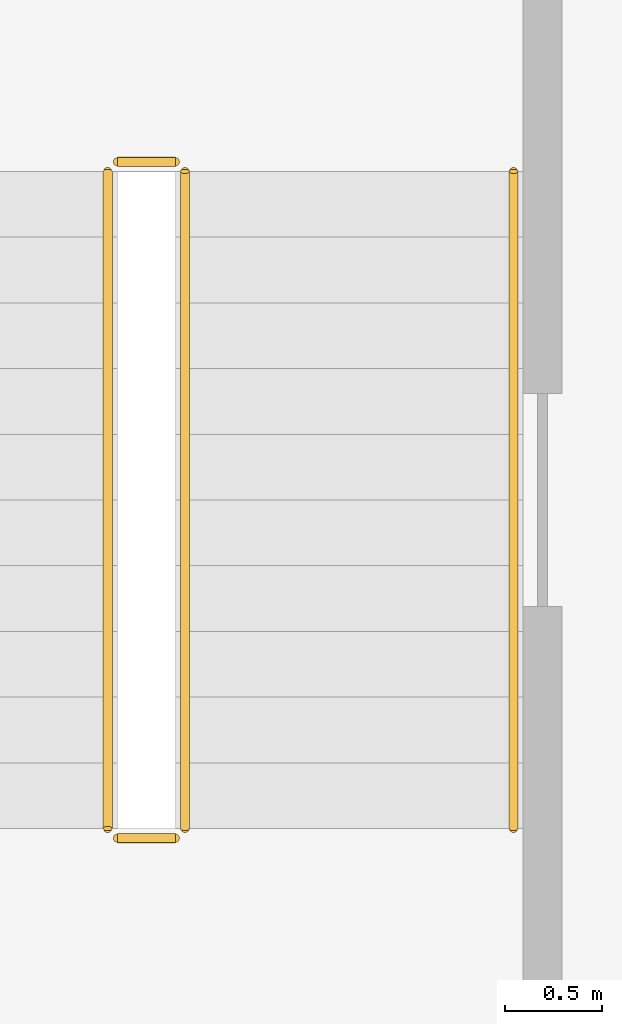
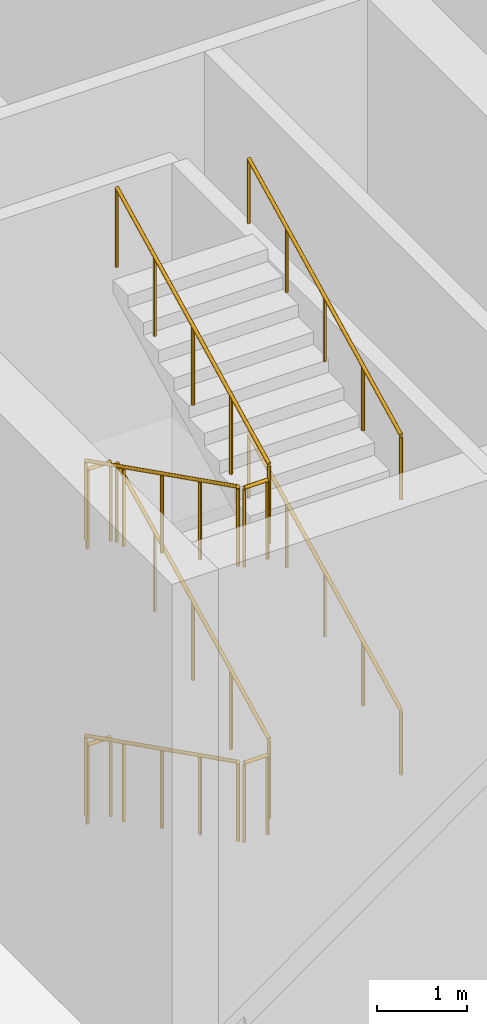
# One storey, part 34 of 36: 10 railings.
"""IFC4 building model written with IfcOpenShell, lengths in metres."""

from ifc_helpers import new_model, si_unit, direction, frame, origin, origin_2d, place, context, subcontext, project, spatial, circle, extrude, material, type_object, element, save


model = new_model("IFC4")

# Units and contexts
model_context = context("Model", 3, precision=1e-05, world=origin(), true_north=direction((0.0, 1.0)))
body_context = subcontext(model_context, "Body", "Model", "MODEL_VIEW")
ifc_project = project(units=[si_unit("LENGTHUNIT", "METRE"), si_unit("AREAUNIT", "SQUARE_METRE"), si_unit("VOLUMEUNIT", "CUBIC_METRE"), si_unit("PLANEANGLEUNIT", "RADIAN"), si_unit("MASSUNIT", "GRAM", prefix="KILO")], contexts=[model_context])

# Site, building, storey
site_placement = place(None, origin())
site = spatial("IfcSite", under=ifc_project, at=site_placement, CompositionType="ELEMENT")
building_placement = place(site_placement, origin())
building = spatial("IfcBuilding", under=site, at=building_placement, Name="Cobrizo Arcos Hotel Tower", CompositionType="ELEMENT")
storey_placement = place(building_placement, origin())
storey = spatial("IfcBuildingStorey", under=building, at=storey_placement, Name="L00", CompositionType="ELEMENT", Elevation=0.0)

# Railings
ifc_material = material(Name="Stainless steel railing", Category="steel")
railing_type_1 = type_object("IfcRailingType", Name="Stair guard 1100", PredefinedType="GUARDRAIL", material=ifc_material)
railing_1_placement = place(storey_placement, frame((17.75, -5.5, 0.17041015625)))
element("IfcRailing", 1, at=railing_1_placement, inside=storey, type_object=railing_type_1, Name="L00 ST-E stair guard 1", PredefinedType="GUARDRAIL", context=body_context, shape_type="SweptSolid", body=[
    extrude(circle(Radius=0.02392578125, at=origin_2d()), frame((0.0, 0.0, 1.076171875), z_axis=(0.0, -0.89393879905, 0.448189048899), x_axis=(1.0, 0.0, 0.0)), (0.0, 0.0, 1.0), 3.80322265625),
    extrude(circle(Radius=0.02099609375, at=origin_2d()), origin(), (0.0, 0.0, 1.0), 1.052001953125),
    extrude(circle(Radius=0.02099609375, at=origin_2d()), frame((0.0, -0.85009765625, 0.42626953125)), (0.0, 0.0, 1.0), 1.052001953125),
    extrude(circle(Radius=0.02099609375, at=origin_2d()), frame((0.0, -1.699951171875, 0.852294921875)), (0.0, 0.0, 1.0), 1.052001953125),
    extrude(circle(Radius=0.02099609375, at=origin_2d()), frame((0.0, -2.5498046875, 1.2783203125)), (0.0, 0.0, 1.0), 1.052001953125),
    extrude(circle(Radius=0.02099609375, at=origin_2d()), frame((0.0, -3.39990234375, 1.70458984375)), (0.0, 0.0, 1.0), 1.052001953125),
])
railing_2_placement = place(storey_placement, frame((17.800048828125, -8.949951171875, 1.875)))
element("IfcRailing", 2, at=railing_2_placement, inside=storey, type_object=railing_type_1, Name="L00 ST-E stair guard 2", PredefinedType="GUARDRAIL", context=body_context, shape_type="SweptSolid", body=[
    extrude(circle(Radius=0.02392578125, at=origin_2d()), frame((0.0, 0.0, 1.076171875), z_axis=(1.0, 0.0, 0.0), x_axis=(0.0, 1.0, 0.0)), (0.0, 0.0, 1.0), 0.300048828125),
    extrude(circle(Radius=0.02099609375, at=origin_2d()), origin(), (0.0, 0.0, 1.0), 1.052001953125),
    extrude(circle(Radius=0.02099609375, at=origin_2d()), frame((0.300048828125, 0.0, 0.0)), (0.0, 0.0, 1.0), 1.052001953125),
])
railing_3_placement = place(storey_placement, frame((18.14990234375, -8.89990234375, 2.04541015625)))
element("IfcRailing", 3, at=railing_3_placement, inside=storey, type_object=railing_type_1, Name="L00 ST-E stair guard 3", PredefinedType="GUARDRAIL", context=body_context, shape_type="SweptSolid", body=[
    extrude(circle(Radius=0.02392578125, at=origin_2d()), frame((0.0, 0.0, 1.076171875), z_axis=(0.0, 0.89393879905, 0.448189048899), x_axis=(-1.0, 0.0, 0.0)), (0.0, 0.0, 1.0), 3.80322265625),
    extrude(circle(Radius=0.02099609375, at=origin_2d()), origin(), (0.0, 0.0, 1.0), 1.052001953125),
    extrude(circle(Radius=0.02099609375, at=origin_2d()), frame((0.0, 0.85009765625, 0.42626953125)), (0.0, 0.0, 1.0), 1.052001953125),
    extrude(circle(Radius=0.02099609375, at=origin_2d()), frame((0.0, 1.699951171875, 0.852294921875)), (0.0, 0.0, 1.0), 1.052001953125),
    extrude(circle(Radius=0.02099609375, at=origin_2d()), frame((0.0, 2.5498046875, 1.2783203125)), (0.0, 0.0, 1.0), 1.052001953125),
    extrude(circle(Radius=0.02099609375, at=origin_2d()), frame((0.0, 3.39990234375, 1.70458984375)), (0.0, 0.0, 1.0), 1.052001953125),
])
railing_4_placement = place(storey_placement, frame((17.800048828125, -5.449951171875, 3.75)))
element("IfcRailing", 4, at=railing_4_placement, inside=storey, type_object=railing_type_1, Name="L00 ST-E stair guard 4", PredefinedType="GUARDRAIL", context=body_context, shape_type="SweptSolid", body=[
    extrude(circle(Radius=0.02392578125, at=origin_2d()), frame((0.0, 0.0, 1.076171875), z_axis=(1.0, 0.0, 0.0), x_axis=(0.0, 1.0, 0.0)), (0.0, 0.0, 1.0), 0.300048828125),
    extrude(circle(Radius=0.02099609375, at=origin_2d()), origin(), (0.0, 0.0, 1.0), 1.052001953125),
    extrude(circle(Radius=0.02099609375, at=origin_2d()), frame((0.300048828125, 0.0, 0.0)), (0.0, 0.0, 1.0), 1.052001953125),
])
railing_5_placement = place(storey_placement, frame((17.75, -5.5, 3.92041015625)))
element("IfcRailing", 5, at=railing_5_placement, inside=storey, type_object=railing_type_1, Name="L00 ST-E stair guard 5", PredefinedType="GUARDRAIL", context=body_context, shape_type="SweptSolid", body=[
    extrude(circle(Radius=0.02392578125, at=origin_2d()), frame((0.0, 0.0, 1.076171875), z_axis=(0.0, -0.89393879905, 0.448189048899), x_axis=(1.0, 0.0, 0.0)), (0.0, 0.0, 1.0), 3.80322265625),
    extrude(circle(Radius=0.02099609375, at=origin_2d()), origin(), (0.0, 0.0, 1.0), 1.052001953125),
    extrude(circle(Radius=0.02099609375, at=origin_2d()), frame((0.0, -0.85009765625, 0.42626953125)), (0.0, 0.0, 1.0), 1.052001953125),
    extrude(circle(Radius=0.02099609375, at=origin_2d()), frame((0.0, -1.699951171875, 0.852294921875)), (0.0, 0.0, 1.0), 1.052001953125),
    extrude(circle(Radius=0.02099609375, at=origin_2d()), frame((0.0, -2.5498046875, 1.2783203125)), (0.0, 0.0, 1.0), 1.052001953125),
    extrude(circle(Radius=0.02099609375, at=origin_2d()), frame((0.0, -3.39990234375, 1.70458984375)), (0.0, 0.0, 1.0), 1.052001953125),
])
railing_6_placement = place(storey_placement, frame((17.800048828125, -8.949951171875, 5.625)))
element("IfcRailing", 6, at=railing_6_placement, inside=storey, type_object=railing_type_1, Name="L00 ST-E stair guard 6", PredefinedType="GUARDRAIL", context=body_context, shape_type="SweptSolid", body=[
    extrude(circle(Radius=0.02392578125, at=origin_2d()), frame((0.0, 0.0, 1.076171875), z_axis=(1.0, 0.0, 0.0), x_axis=(0.0, 1.0, 0.0)), (0.0, 0.0, 1.0), 0.300048828125),
    extrude(circle(Radius=0.02099609375, at=origin_2d()), origin(), (0.0, 0.0, 1.0), 1.052001953125),
    extrude(circle(Radius=0.02099609375, at=origin_2d()), frame((0.300048828125, 0.0, 0.0)), (0.0, 0.0, 1.0), 1.052001953125),
])
railing_7_placement = place(storey_placement, frame((18.14990234375, -8.89990234375, 5.79541015625)))
element("IfcRailing", 7, at=railing_7_placement, inside=storey, type_object=railing_type_1, Name="L00 ST-E stair guard 7", PredefinedType="GUARDRAIL", context=body_context, shape_type="SweptSolid", body=[
    extrude(circle(Radius=0.02392578125, at=origin_2d()), frame((0.0, 0.0, 1.076171875), z_axis=(0.0, 0.89393879905, 0.448189048899), x_axis=(-1.0, 0.0, 0.0)), (0.0, 0.0, 1.0), 3.80322265625),
    extrude(circle(Radius=0.02099609375, at=origin_2d()), origin(), (0.0, 0.0, 1.0), 1.052001953125),
    extrude(circle(Radius=0.02099609375, at=origin_2d()), frame((0.0, 0.85009765625, 0.42626953125)), (0.0, 0.0, 1.0), 1.052001953125),
    extrude(circle(Radius=0.02099609375, at=origin_2d()), frame((0.0, 1.699951171875, 0.852294921875)), (0.0, 0.0, 1.0), 1.052001953125),
    extrude(circle(Radius=0.02099609375, at=origin_2d()), frame((0.0, 2.5498046875, 1.2783203125)), (0.0, 0.0, 1.0), 1.052001953125),
    extrude(circle(Radius=0.02099609375, at=origin_2d()), frame((0.0, 3.39990234375, 1.70458984375)), (0.0, 0.0, 1.0), 1.052001953125),
])
railing_8_placement = place(storey_placement, frame((17.800048828125, -5.449951171875, 0.0)))
element("IfcRailing", 8, at=railing_8_placement, inside=storey, type_object=railing_type_1, Name="L00 ST-E stair guard 8", PredefinedType="GUARDRAIL", context=body_context, shape_type="SweptSolid", body=[
    extrude(circle(Radius=0.02392578125, at=origin_2d()), frame((0.0, 0.0, 1.076171875), z_axis=(1.0, 0.0, 0.0), x_axis=(0.0, 1.0, 0.0)), (0.0, 0.0, 1.0), 0.300048828125),
    extrude(circle(Radius=0.02099609375, at=origin_2d()), origin(), (0.0, 0.0, 1.0), 1.052001953125),
    extrude(circle(Radius=0.02099609375, at=origin_2d()), frame((0.300048828125, 0.0, 0.0)), (0.0, 0.0, 1.0), 1.052001953125),
])
railing_type_2 = type_object("IfcRailingType", Name="Stair handrail", PredefinedType="HANDRAIL", material=ifc_material)
for number, where, name in (
    (9, (19.85009765625, -8.89990234375, 2.04541015625), "L00 ST-E stair handrail 2"),
    (10, (19.85009765625, -8.89990234375, 5.79541015625), "L00 ST-E stair handrail 4"),
):
    element("IfcRailing", number, at=place(storey_placement, frame(where)), inside=storey, type_object=railing_type_2, Name=name, PredefinedType="HANDRAIL", context=body_context, shape_type="SweptSolid", body=[
        extrude(circle(Radius=0.02392578125, at=origin_2d()), frame((0.0, 0.0, 0.8759765625), z_axis=(0.0, 0.89393879905, 0.448189048899), x_axis=(-1.0, 0.0, 0.0)), (0.0, 0.0, 1.0), 3.80322265625),
        extrude(circle(Radius=0.02099609375, at=origin_2d()), origin(), (0.0, 0.0, 1.0), 0.851806640625),
        extrude(circle(Radius=0.02099609375, at=origin_2d()), frame((0.0, 0.85009765625, 0.42626953125)), (0.0, 0.0, 1.0), 0.851806640625),
        extrude(circle(Radius=0.02099609375, at=origin_2d()), frame((0.0, 1.699951171875, 0.852294921875)), (0.0, 0.0, 1.0), 0.851806640625),
        extrude(circle(Radius=0.02099609375, at=origin_2d()), frame((0.0, 2.5498046875, 1.2783203125)), (0.0, 0.0, 1.0), 0.851806640625),
        extrude(circle(Radius=0.02099609375, at=origin_2d()), frame((0.0, 3.39990234375, 1.70458984375)), (0.0, 0.0, 1.0), 0.851806640625),
    ])

save(model, "model.ifc")
